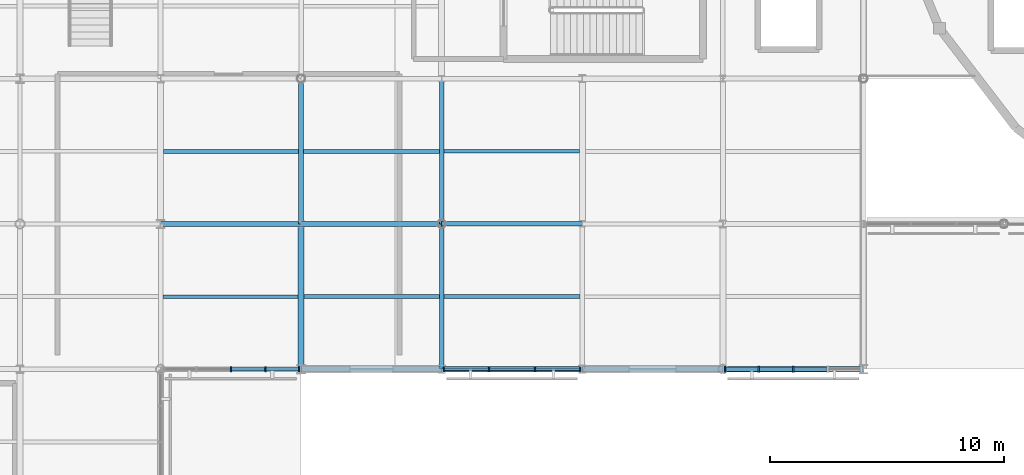
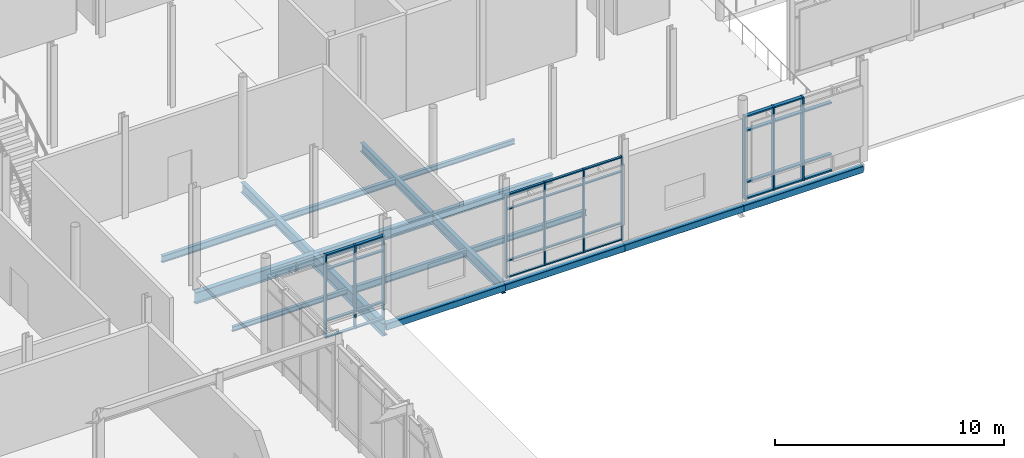
# One storey, part 26 of 105: 41 members, 17 beams, 3 elements without a shape of their own.
"""IFC4 building model written with IfcOpenShell, lengths in metres."""

from ifc_helpers import new_model, si_unit, direction, frame, origin, origin_2d, place, context, subcontext, project, spatial, rectangle, hollow_rectangle, i_section, extrude, material, layer, layer_set, material_profile, profile_set, type_object, element, aggregate, save


model = new_model("IFC4")

# Units and contexts
model_context = context("Model", 3, precision=1e-05, world=origin(), true_north=direction((0.0, 1.0)))
body_context = subcontext(model_context, "Body", "Model", "MODEL_VIEW")
ifc_project = project(units=[si_unit("LENGTHUNIT", "METRE"), si_unit("AREAUNIT", "SQUARE_METRE"), si_unit("VOLUMEUNIT", "CUBIC_METRE"), si_unit("PLANEANGLEUNIT", "RADIAN"), si_unit("MASSUNIT", "GRAM", prefix="KILO")], contexts=[model_context])

# Site, building, storey
site_placement = place(None, origin())
site = spatial("IfcSite", under=ifc_project, at=site_placement, CompositionType="ELEMENT")
building_placement = place(site_placement, origin())
building = spatial("IfcBuilding", under=site, at=building_placement, Name="Mirzam Square Science Centre", CompositionType="ELEMENT")
storey_placement = place(building_placement, frame((0.0, 0.0, 5.39990234375)))
storey = spatial("IfcBuildingStorey", under=building, at=storey_placement, Name="L01", CompositionType="ELEMENT", Elevation=5.39990234375)

# Beams
ifc_material_1 = material(Name="Steel S355", Category="steel")
ifc_material_profile_1 = material_profile(ifc_material_1, i_section(OverallWidth=0.19140625, OverallDepth=0.4599609375, WebThickness=0.010009765625, FlangeThickness=0.01611328125, FilletRadius=0.01025390625, at=origin_2d()), Name="457x191x82UB")
ifc_profile_set_1 = profile_set([ifc_material_profile_1], Name="Steel S355")
beam_type_1 = type_object("IfcBeamType", Name="BM-UB457", PredefinedType="BEAM", material=ifc_profile_set_1)
beam_1_placement = place(storey_placement, frame((42.0, 43.39990234375, -0.489990234375), z_axis=(1.0, 0.0, 0.0), x_axis=(0.0, 1.0, 0.0)))
element("IfcBeam", 1, at=beam_1_placement, inside=storey, type_object=beam_type_1, Name="L01 girder X8-8", PredefinedType="BEAM", context=body_context, shape_type="SweptSolid", body=[
    extrude(i_section(OverallWidth=0.19140625, OverallDepth=0.4599609375, WebThickness=0.010009765625, FlangeThickness=0.01611328125, FilletRadius=0.01025390625, at=origin_2d()), origin(), (0.0, 0.0, 1.0), 6.0),
])
beam_2_placement = place(storey_placement, frame((42.0, 43.39990234375, -0.489990234375), z_axis=(0.0, 1.0, 0.0), x_axis=(-1.0, 0.0, 0.0)))
element("IfcBeam", 2, at=beam_2_placement, inside=storey, type_object=beam_type_1, Name="L01 girder Y8-8", PredefinedType="BEAM", context=body_context, shape_type="SweptSolid", body=[
    extrude(i_section(OverallWidth=0.19140625, OverallDepth=0.4599609375, WebThickness=0.010009765625, FlangeThickness=0.01611328125, FilletRadius=0.01025390625, at=origin_2d()), origin(), (0.0, 0.0, 1.0), 6.2001953125),
])
ifc_material_profile_2 = material_profile(ifc_material_1, i_section(OverallWidth=0.2099609375, OverallDepth=0.53662109375, WebThickness=0.0107421875, FlangeThickness=0.017333984375, FilletRadius=0.0126953125, at=origin_2d()), Name="533x210x101UB")
ifc_profile_set_2 = profile_set([ifc_material_profile_2], Name="Steel S355")
beam_type_2 = type_object("IfcBeamType", Name="BM-UB533", PredefinedType="BEAM", material=ifc_profile_set_2)
beam_3_placement = place(storey_placement, frame((36.0, 43.39990234375, -0.5283203125), z_axis=(1.0, 0.0, 0.0), x_axis=(0.0, 1.0, 0.0)))
element("IfcBeam", 3, at=beam_3_placement, inside=storey, type_object=beam_type_2, Name="L01 girder X7-8", PredefinedType="BEAM", context=body_context, shape_type="SweptSolid", body=[
    extrude(i_section(OverallWidth=0.2099609375, OverallDepth=0.53662109375, WebThickness=0.0107421875, FlangeThickness=0.017333984375, FilletRadius=0.0126953125, at=origin_2d()), origin(), (0.0, 0.0, 1.0), 6.0),
])
beam_4_placement = place(storey_placement, frame((36.0, 43.39990234375, -0.5283203125), z_axis=(0.0, 1.0, 0.0), x_axis=(-1.0, 0.0, 0.0)))
element("IfcBeam", 4, at=beam_4_placement, inside=storey, type_object=beam_type_2, Name="L01 girder Y7-8", PredefinedType="BEAM", context=body_context, shape_type="SweptSolid", body=[
    extrude(i_section(OverallWidth=0.2099609375, OverallDepth=0.53662109375, WebThickness=0.0107421875, FlangeThickness=0.017333984375, FilletRadius=0.0126953125, at=origin_2d()), origin(), (0.0, 0.0, 1.0), 6.2001953125),
])
beam_5_placement = place(storey_placement, frame((42.0, 37.199951171875, -0.5283203125), z_axis=(0.0, 1.0, 0.0), x_axis=(-1.0, 0.0, 0.0)))
element("IfcBeam", 5, at=beam_5_placement, inside=storey, type_object=beam_type_2, Name="L01 girder Y8-7", PredefinedType="BEAM", context=body_context, shape_type="SweptSolid", body=[
    extrude(i_section(OverallWidth=0.2099609375, OverallDepth=0.53662109375, WebThickness=0.0107421875, FlangeThickness=0.017333984375, FilletRadius=0.0126953125, at=origin_2d()), origin(), (0.0, 0.0, 1.0), 6.199951171875),
])
ifc_material_profile_3 = material_profile(ifc_material_1, i_section(OverallWidth=0.22900390625, OverallDepth=0.6123046875, WebThickness=0.011962890625, FlangeThickness=0.01953125, FilletRadius=0.0126953125, at=origin_2d()), Name="610x229x125UB")
ifc_profile_set_3 = profile_set([ifc_material_profile_3], Name="Steel S355")
beam_type_3 = type_object("IfcBeamType", Name="BM-UB610", PredefinedType="BEAM", material=ifc_profile_set_3)
beam_6_placement = place(storey_placement, frame((30.0, 43.39990234375, -0.56591796875), z_axis=(1.0, 0.0, 0.0), x_axis=(0.0, 1.0, 0.0)))
element("IfcBeam", 6, at=beam_6_placement, inside=storey, type_object=beam_type_3, Name="L01 girder X6-8", PredefinedType="BEAM", context=body_context, shape_type="SweptSolid", body=[
    extrude(i_section(OverallWidth=0.22900390625, OverallDepth=0.6123046875, WebThickness=0.011962890625, FlangeThickness=0.01953125, FilletRadius=0.0126953125, at=origin_2d()), origin(), (0.0, 0.0, 1.0), 6.0),
])
ifc_material_profile_4 = material_profile(ifc_material_1, i_section(OverallWidth=0.25439453125, OverallDepth=0.6875, WebThickness=0.01318359375, FlangeThickness=0.02099609375, FilletRadius=0.01513671875, at=origin_2d()), Name="686x254x152UB")
ifc_profile_set_4 = profile_set([ifc_material_profile_4], Name="Steel S355")
beam_type_4 = type_object("IfcBeamType", Name="BM-UB686", PredefinedType="BEAM", material=ifc_profile_set_4)
beam_7_placement = place(storey_placement, frame((36.0, 37.199951171875, -0.603759765625), z_axis=(0.0, 1.0, 0.0), x_axis=(-1.0, 0.0, 0.0)))
element("IfcBeam", 7, at=beam_7_placement, inside=storey, type_object=beam_type_4, Name="L01 girder Y7-7", PredefinedType="BEAM", context=body_context, shape_type="SweptSolid", body=[
    extrude(i_section(OverallWidth=0.25439453125, OverallDepth=0.6875, WebThickness=0.01318359375, FlangeThickness=0.02099609375, FilletRadius=0.01513671875, at=origin_2d()), origin(), (0.0, 0.0, 1.0), 6.199951171875),
])

# Curtain wall, members
ifc_material_2 = material(Name="Anodised Aluminium and Low-E Solar Glass", Category="aluminium")
ifc_layer_1 = layer(ifc_material_2, 0.199951171875)
ifc_layer_set_1 = layer_set([ifc_layer_1], Name="CW-PARK-B")
curtain_wall_type_1 = type_object("IfcCurtainWallType", Name="CW-PARK-B", PredefinedType="USERDEFINED", material=ifc_layer_set_1)
curtain_wall_1_placement = place(storey_placement, origin())
curtain_wall_1 = element("IfcCurtainWall", 8, at=curtain_wall_1_placement, inside=storey, type_object=curtain_wall_type_1, Name="L01 unitised curtain wall 19", ObjectType="UNITISED CURTAIN WALL", PredefinedType="USERDEFINED")
ifc_material_3 = material(Name="Anodised Architectural Aluminium 6063-T6", Category="aluminium")
ifc_material_profile_5 = material_profile(ifc_material_3, rectangle(XDim=0.06005859375, YDim=0.159912109375, at=origin_2d()), Name="ALU-MULL-160x60x4")
ifc_profile_set_5 = profile_set([ifc_material_profile_5], Name="Anodised Architectural Aluminium 6063-T6")
member_type_1 = type_object("IfcMemberType", Name="CWM-160", PredefinedType="MULLION", material=ifc_profile_set_5)
member_1_placement = place(storey_placement, frame((42.0849609375, 37.199951171875, 0.0), z_axis=(0.0, 0.0, 1.0), x_axis=(1.0, 0.0, 0.0)))
member_1 = element("IfcMember", 9, at=member_1_placement, type_object=member_type_1, Name="CW-02 mullion 1", PredefinedType="MULLION", context=body_context, shape_type="SweptSolid", body=[
    extrude(rectangle(XDim=0.06005859375, YDim=0.159912109375, at=origin_2d()), origin(), (0.0, 0.0, 1.0), 4.440185546875),
])
member_2_placement = place(storey_placement, frame((44.018310546875, 37.199951171875, 0.0), z_axis=(0.0, 0.0, 1.0), x_axis=(1.0, 0.0, 0.0)))
member_2 = element("IfcMember", 10, at=member_2_placement, type_object=member_type_1, Name="CW-02 mullion 2", PredefinedType="MULLION", context=body_context, shape_type="SweptSolid", body=[
    extrude(rectangle(XDim=0.06005859375, YDim=0.159912109375, at=origin_2d()), origin(), (0.0, 0.0, 1.0), 4.440185546875),
])
member_3_placement = place(storey_placement, frame((45.981689453125, 37.199951171875, 0.0), z_axis=(0.0, 0.0, 1.0), x_axis=(1.0, 0.0, 0.0)))
member_3 = element("IfcMember", 11, at=member_3_placement, type_object=member_type_1, Name="CW-02 mullion 3", PredefinedType="MULLION", context=body_context, shape_type="SweptSolid", body=[
    extrude(rectangle(XDim=0.06005859375, YDim=0.159912109375, at=origin_2d()), origin(), (0.0, 0.0, 1.0), 4.440185546875),
])
member_4_placement = place(storey_placement, frame((47.9150390625, 37.199951171875, 0.0), z_axis=(0.0, 0.0, 1.0), x_axis=(1.0, 0.0, 0.0)))
member_4 = element("IfcMember", 12, at=member_4_placement, type_object=member_type_1, Name="CW-02 mullion 4", PredefinedType="MULLION", context=body_context, shape_type="SweptSolid", body=[
    extrude(rectangle(XDim=0.06005859375, YDim=0.159912109375, at=origin_2d()), origin(), (0.0, 0.0, 1.0), 4.440185546875),
])

ifc_layer_2 = layer(ifc_material_2, 0.179931640625)
ifc_layer_set_2 = layer_set([ifc_layer_2], Name="CW-LINK-A")
curtain_wall_type_2 = type_object("IfcCurtainWallType", Name="CW-LINK-A", PredefinedType="USERDEFINED", material=ifc_layer_set_2)
curtain_wall_2_placement = place(storey_placement, origin())
curtain_wall_2 = element("IfcCurtainWall", 13, at=curtain_wall_2_placement, inside=storey, type_object=curtain_wall_type_2, Name="L01 unitised curtain wall 18", ObjectType="UNITISED CURTAIN WALL", PredefinedType="USERDEFINED")
ifc_material_profile_6 = material_profile(ifc_material_3, rectangle(XDim=0.06494140625, YDim=0.199951171875, at=origin_2d()), Name="ALU-MULL-200x65x5")
ifc_profile_set_6 = profile_set([ifc_material_profile_6], Name="Anodised Architectural Aluminium 6063-T6")
member_type_2 = type_object("IfcMemberType", Name="CWM-200", PredefinedType="MULLION", material=ifc_profile_set_6)
member_5_placement = place(storey_placement, frame((33.0, 37.199951171875, 0.0), z_axis=(0.0, 0.0, 1.0), x_axis=(1.0, 0.0, 0.0)))
member_5 = element("IfcMember", 14, at=member_5_placement, type_object=member_type_2, Name="CW-08 mullion 3", PredefinedType="MULLION", context=body_context, shape_type="SweptSolid", body=[
    extrude(rectangle(XDim=0.06494140625, YDim=0.199951171875, at=origin_2d()), origin(), (0.0, 0.0, 1.0), 4.440185546875),
])
member_6_placement = place(storey_placement, frame((34.472412109375, 37.199951171875, 0.0), z_axis=(0.0, 0.0, 1.0), x_axis=(1.0, 0.0, 0.0)))
member_6 = element("IfcMember", 15, at=member_6_placement, type_object=member_type_2, Name="CW-08 mullion 4", PredefinedType="MULLION", context=body_context, shape_type="SweptSolid", body=[
    extrude(rectangle(XDim=0.06494140625, YDim=0.199951171875, at=origin_2d()), origin(), (0.0, 0.0, 1.0), 4.440185546875),
])
member_7_placement = place(storey_placement, frame((35.91259765625, 37.199951171875, 0.0), z_axis=(0.0, 0.0, 1.0), x_axis=(1.0, 0.0, 0.0)))
member_7 = element("IfcMember", 16, at=member_7_placement, type_object=member_type_2, Name="CW-08 mullion 5", PredefinedType="MULLION", context=body_context, shape_type="SweptSolid", body=[
    extrude(rectangle(XDim=0.06494140625, YDim=0.199951171875, at=origin_2d()), origin(), (0.0, 0.0, 1.0), 4.440185546875),
])

ifc_layer_3 = layer(ifc_material_2, 0.159912109375)
ifc_layer_set_3 = layer_set([ifc_layer_3], Name="CW-COURT-B")
curtain_wall_type_3 = type_object("IfcCurtainWallType", Name="CW-COURT-B", PredefinedType="USERDEFINED", material=ifc_layer_set_3)
curtain_wall_3_placement = place(storey_placement, origin())
curtain_wall_3 = element("IfcCurtainWall", 17, at=curtain_wall_3_placement, inside=storey, type_object=curtain_wall_type_3, Name="L01 unitised curtain wall 20", ObjectType="UNITISED CURTAIN WALL", PredefinedType="USERDEFINED")
ifc_material_profile_7 = material_profile(ifc_material_3, rectangle(XDim=0.074951171875, YDim=0.239990234375, at=origin_2d()), Name="ALU-MULL-240x75x5")
ifc_profile_set_7 = profile_set([ifc_material_profile_7], Name="Anodised Architectural Aluminium 6063-T6")
member_type_3 = type_object("IfcMemberType", Name="CWM-240", PredefinedType="MULLION", material=ifc_profile_set_7)
member_8_placement = place(storey_placement, frame((54.092529296875, 37.199951171875, 0.0), z_axis=(0.0, 0.0, 1.0), x_axis=(1.0, 0.0, 0.0)))
member_8 = element("IfcMember", 18, at=member_8_placement, type_object=member_type_3, Name="CW-04 mullion 1", PredefinedType="MULLION", context=body_context, shape_type="SweptSolid", body=[
    extrude(rectangle(XDim=0.074951171875, YDim=0.239990234375, at=origin_2d()), origin(), (0.0, 0.0, 1.0), 4.440185546875),
])
member_9_placement = place(storey_placement, frame((55.527587890625, 37.199951171875, 0.0), z_axis=(0.0, 0.0, 1.0), x_axis=(1.0, 0.0, 0.0)))
member_9 = element("IfcMember", 19, at=member_9_placement, type_object=member_type_3, Name="CW-04 mullion 2", PredefinedType="MULLION", context=body_context, shape_type="SweptSolid", body=[
    extrude(rectangle(XDim=0.074951171875, YDim=0.239990234375, at=origin_2d()), origin(), (0.0, 0.0, 1.0), 4.440185546875),
])
member_10_placement = place(storey_placement, frame((57.0, 37.199951171875, 0.0), z_axis=(0.0, 0.0, 1.0), x_axis=(1.0, 0.0, 0.0)))
member_10 = element("IfcMember", 20, at=member_10_placement, type_object=member_type_3, Name="CW-04 mullion 3", PredefinedType="MULLION", context=body_context, shape_type="SweptSolid", body=[
    extrude(rectangle(XDim=0.074951171875, YDim=0.239990234375, at=origin_2d()), origin(), (0.0, 0.0, 1.0), 4.440185546875),
])

# Member
ifc_material_profile_8 = material_profile(ifc_material_3, rectangle(XDim=0.1201171875, YDim=0.06005859375, at=origin_2d()), Name="ALU-TRAN-120x60x4")
ifc_profile_set_8 = profile_set([ifc_material_profile_8], Name="Anodised Architectural Aluminium 6063-T6")
member_type_4 = type_object("IfcMemberType", Name="CWT-120", PredefinedType="USERDEFINED", material=ifc_profile_set_8)
member_11_placement = place(storey_placement, frame((42.114990234375, 37.199951171875, 0.030029296875), z_axis=(1.0, 0.0, 0.0), x_axis=(0.0, 1.0, 0.0)))
member_11 = element("IfcMember", 21, at=member_11_placement, type_object=member_type_4, Name="CW-02 transom 1.1", ObjectType="TRANSOM", PredefinedType="USERDEFINED", context=body_context, shape_type="SweptSolid", body=[
    extrude(rectangle(XDim=0.1201171875, YDim=0.06005859375, at=origin_2d()), origin(), (0.0, 0.0, 1.0), 1.873291015625),
])

member_12_placement = place(storey_placement, frame((42.114990234375, 37.199951171875, 0.900146484375), z_axis=(1.0, 0.0, 0.0), x_axis=(0.0, 1.0, 0.0)))
member_12 = element("IfcMember", 22, at=member_12_placement, type_object=member_type_4, Name="CW-02 transom 1.2", ObjectType="TRANSOM", PredefinedType="USERDEFINED", context=body_context, shape_type="SweptSolid", body=[
    extrude(rectangle(XDim=0.1201171875, YDim=0.06005859375, at=origin_2d()), origin(), (0.0, 0.0, 1.0), 1.873291015625),
])

member_13_placement = place(storey_placement, frame((42.114990234375, 37.199951171875, 3.64013671875), z_axis=(1.0, 0.0, 0.0), x_axis=(0.0, 1.0, 0.0)))
member_13 = element("IfcMember", 23, at=member_13_placement, type_object=member_type_4, Name="CW-02 transom 1.3", ObjectType="TRANSOM", PredefinedType="USERDEFINED", context=body_context, shape_type="SweptSolid", body=[
    extrude(rectangle(XDim=0.1201171875, YDim=0.06005859375, at=origin_2d()), origin(), (0.0, 0.0, 1.0), 1.873291015625),
])

member_14_placement = place(storey_placement, frame((42.114990234375, 37.199951171875, 4.41015625), z_axis=(1.0, 0.0, 0.0), x_axis=(0.0, 1.0, 0.0)))
member_14 = element("IfcMember", 24, at=member_14_placement, type_object=member_type_4, Name="CW-02 transom 1.4", ObjectType="TRANSOM", PredefinedType="USERDEFINED", context=body_context, shape_type="SweptSolid", body=[
    extrude(rectangle(XDim=0.1201171875, YDim=0.06005859375, at=origin_2d()), origin(), (0.0, 0.0, 1.0), 1.873291015625),
])

member_15_placement = place(storey_placement, frame((44.04833984375, 37.199951171875, 0.030029296875), z_axis=(1.0, 0.0, 0.0), x_axis=(0.0, 1.0, 0.0)))
member_15 = element("IfcMember", 25, at=member_15_placement, type_object=member_type_4, Name="CW-02 transom 2.1", ObjectType="TRANSOM", PredefinedType="USERDEFINED", context=body_context, shape_type="SweptSolid", body=[
    extrude(rectangle(XDim=0.1201171875, YDim=0.06005859375, at=origin_2d()), origin(), (0.0, 0.0, 1.0), 1.9033203125),
])

member_16_placement = place(storey_placement, frame((44.04833984375, 37.199951171875, 0.900146484375), z_axis=(1.0, 0.0, 0.0), x_axis=(0.0, 1.0, 0.0)))
member_16 = element("IfcMember", 26, at=member_16_placement, type_object=member_type_4, Name="CW-02 transom 2.2", ObjectType="TRANSOM", PredefinedType="USERDEFINED", context=body_context, shape_type="SweptSolid", body=[
    extrude(rectangle(XDim=0.1201171875, YDim=0.06005859375, at=origin_2d()), origin(), (0.0, 0.0, 1.0), 1.9033203125),
])

member_17_placement = place(storey_placement, frame((44.04833984375, 37.199951171875, 3.64013671875), z_axis=(1.0, 0.0, 0.0), x_axis=(0.0, 1.0, 0.0)))
member_17 = element("IfcMember", 27, at=member_17_placement, type_object=member_type_4, Name="CW-02 transom 2.3", ObjectType="TRANSOM", PredefinedType="USERDEFINED", context=body_context, shape_type="SweptSolid", body=[
    extrude(rectangle(XDim=0.1201171875, YDim=0.06005859375, at=origin_2d()), origin(), (0.0, 0.0, 1.0), 1.9033203125),
])

member_18_placement = place(storey_placement, frame((44.04833984375, 37.199951171875, 4.41015625), z_axis=(1.0, 0.0, 0.0), x_axis=(0.0, 1.0, 0.0)))
member_18 = element("IfcMember", 28, at=member_18_placement, type_object=member_type_4, Name="CW-02 transom 2.4", ObjectType="TRANSOM", PredefinedType="USERDEFINED", context=body_context, shape_type="SweptSolid", body=[
    extrude(rectangle(XDim=0.1201171875, YDim=0.06005859375, at=origin_2d()), origin(), (0.0, 0.0, 1.0), 1.9033203125),
])

member_19_placement = place(storey_placement, frame((46.01171875, 37.199951171875, 0.030029296875), z_axis=(1.0, 0.0, 0.0), x_axis=(0.0, 1.0, 0.0)))
member_19 = element("IfcMember", 29, at=member_19_placement, type_object=member_type_4, Name="CW-02 transom 3.1", ObjectType="TRANSOM", PredefinedType="USERDEFINED", context=body_context, shape_type="SweptSolid", body=[
    extrude(rectangle(XDim=0.1201171875, YDim=0.06005859375, at=origin_2d()), origin(), (0.0, 0.0, 1.0), 1.873291015625),
])

member_20_placement = place(storey_placement, frame((46.01171875, 37.199951171875, 0.900146484375), z_axis=(1.0, 0.0, 0.0), x_axis=(0.0, 1.0, 0.0)))
member_20 = element("IfcMember", 30, at=member_20_placement, type_object=member_type_4, Name="CW-02 transom 3.2", ObjectType="TRANSOM", PredefinedType="USERDEFINED", context=body_context, shape_type="SweptSolid", body=[
    extrude(rectangle(XDim=0.1201171875, YDim=0.06005859375, at=origin_2d()), origin(), (0.0, 0.0, 1.0), 1.873291015625),
])

member_21_placement = place(storey_placement, frame((46.01171875, 37.199951171875, 3.64013671875), z_axis=(1.0, 0.0, 0.0), x_axis=(0.0, 1.0, 0.0)))
member_21 = element("IfcMember", 31, at=member_21_placement, type_object=member_type_4, Name="CW-02 transom 3.3", ObjectType="TRANSOM", PredefinedType="USERDEFINED", context=body_context, shape_type="SweptSolid", body=[
    extrude(rectangle(XDim=0.1201171875, YDim=0.06005859375, at=origin_2d()), origin(), (0.0, 0.0, 1.0), 1.873291015625),
])

member_22_placement = place(storey_placement, frame((46.01171875, 37.199951171875, 4.41015625), z_axis=(1.0, 0.0, 0.0), x_axis=(0.0, 1.0, 0.0)))
member_22 = element("IfcMember", 32, at=member_22_placement, type_object=member_type_4, Name="CW-02 transom 3.4", ObjectType="TRANSOM", PredefinedType="USERDEFINED", context=body_context, shape_type="SweptSolid", body=[
    extrude(rectangle(XDim=0.1201171875, YDim=0.06005859375, at=origin_2d()), origin(), (0.0, 0.0, 1.0), 1.873291015625),
])

aggregate(curtain_wall_1, [member_1, member_2, member_3, member_4, member_11, member_12, member_13, member_14, member_15, member_16, member_17, member_18, member_19, member_20, member_21, member_22])

ifc_material_profile_9 = material_profile(ifc_material_3, rectangle(XDim=0.14990234375, YDim=0.06494140625, at=origin_2d()), Name="ALU-TRAN-150x65x4")
ifc_profile_set_9 = profile_set([ifc_material_profile_9], Name="Anodised Architectural Aluminium 6063-T6")
member_type_5 = type_object("IfcMemberType", Name="CWT-150", PredefinedType="USERDEFINED", material=ifc_profile_set_9)
member_23_placement = place(storey_placement, frame((33.032470703125, 37.199951171875, 0.03271484375), z_axis=(1.0, 0.0, 0.0), x_axis=(0.0, 1.0, 0.0)))
member_23 = element("IfcMember", 33, at=member_23_placement, type_object=member_type_5, Name="CW-08 transom 3.1", ObjectType="TRANSOM", PredefinedType="USERDEFINED", context=body_context, shape_type="SweptSolid", body=[
    extrude(rectangle(XDim=0.14990234375, YDim=0.06494140625, at=origin_2d()), origin(), (0.0, 0.0, 1.0), 1.407470703125),
])

member_24_placement = place(storey_placement, frame((33.032470703125, 37.199951171875, 0.900146484375), z_axis=(1.0, 0.0, 0.0), x_axis=(0.0, 1.0, 0.0)))
member_24 = element("IfcMember", 34, at=member_24_placement, type_object=member_type_5, Name="CW-08 transom 3.2", ObjectType="TRANSOM", PredefinedType="USERDEFINED", context=body_context, shape_type="SweptSolid", body=[
    extrude(rectangle(XDim=0.14990234375, YDim=0.06494140625, at=origin_2d()), origin(), (0.0, 0.0, 1.0), 1.407470703125),
])

member_25_placement = place(storey_placement, frame((33.032470703125, 37.199951171875, 3.64013671875), z_axis=(1.0, 0.0, 0.0), x_axis=(0.0, 1.0, 0.0)))
member_25 = element("IfcMember", 35, at=member_25_placement, type_object=member_type_5, Name="CW-08 transom 3.3", ObjectType="TRANSOM", PredefinedType="USERDEFINED", context=body_context, shape_type="SweptSolid", body=[
    extrude(rectangle(XDim=0.14990234375, YDim=0.06494140625, at=origin_2d()), origin(), (0.0, 0.0, 1.0), 1.407470703125),
])

member_26_placement = place(storey_placement, frame((33.032470703125, 37.199951171875, 4.40771484375), z_axis=(1.0, 0.0, 0.0), x_axis=(0.0, 1.0, 0.0)))
member_26 = element("IfcMember", 36, at=member_26_placement, type_object=member_type_5, Name="CW-08 transom 3.4", ObjectType="TRANSOM", PredefinedType="USERDEFINED", context=body_context, shape_type="SweptSolid", body=[
    extrude(rectangle(XDim=0.14990234375, YDim=0.06494140625, at=origin_2d()), origin(), (0.0, 0.0, 1.0), 1.407470703125),
])

member_27_placement = place(storey_placement, frame((34.5048828125, 37.199951171875, 0.03271484375), z_axis=(1.0, 0.0, 0.0), x_axis=(0.0, 1.0, 0.0)))
member_27 = element("IfcMember", 37, at=member_27_placement, type_object=member_type_5, Name="CW-08 transom 4.1", ObjectType="TRANSOM", PredefinedType="USERDEFINED", context=body_context, shape_type="SweptSolid", body=[
    extrude(rectangle(XDim=0.14990234375, YDim=0.06494140625, at=origin_2d()), origin(), (0.0, 0.0, 1.0), 1.375),
])

member_28_placement = place(storey_placement, frame((34.5048828125, 37.199951171875, 0.900146484375), z_axis=(1.0, 0.0, 0.0), x_axis=(0.0, 1.0, 0.0)))
member_28 = element("IfcMember", 38, at=member_28_placement, type_object=member_type_5, Name="CW-08 transom 4.2", ObjectType="TRANSOM", PredefinedType="USERDEFINED", context=body_context, shape_type="SweptSolid", body=[
    extrude(rectangle(XDim=0.14990234375, YDim=0.06494140625, at=origin_2d()), origin(), (0.0, 0.0, 1.0), 1.375),
])

member_29_placement = place(storey_placement, frame((34.5048828125, 37.199951171875, 3.64013671875), z_axis=(1.0, 0.0, 0.0), x_axis=(0.0, 1.0, 0.0)))
member_29 = element("IfcMember", 39, at=member_29_placement, type_object=member_type_5, Name="CW-08 transom 4.3", ObjectType="TRANSOM", PredefinedType="USERDEFINED", context=body_context, shape_type="SweptSolid", body=[
    extrude(rectangle(XDim=0.14990234375, YDim=0.06494140625, at=origin_2d()), origin(), (0.0, 0.0, 1.0), 1.375),
])

member_30_placement = place(storey_placement, frame((34.5048828125, 37.199951171875, 4.40771484375), z_axis=(1.0, 0.0, 0.0), x_axis=(0.0, 1.0, 0.0)))
member_30 = element("IfcMember", 40, at=member_30_placement, type_object=member_type_5, Name="CW-08 transom 4.4", ObjectType="TRANSOM", PredefinedType="USERDEFINED", context=body_context, shape_type="SweptSolid", body=[
    extrude(rectangle(XDim=0.14990234375, YDim=0.06494140625, at=origin_2d()), origin(), (0.0, 0.0, 1.0), 1.375),
])

aggregate(curtain_wall_2, [member_5, member_6, member_7, member_23, member_24, member_25, member_26, member_27, member_28, member_29, member_30])

ifc_material_profile_10 = material_profile(ifc_material_3, rectangle(XDim=0.179931640625, YDim=0.074951171875, at=origin_2d()), Name="ALU-TRAN-180x75x5")
ifc_profile_set_10 = profile_set([ifc_material_profile_10], Name="Anodised Architectural Aluminium 6063-T6")
member_type_6 = type_object("IfcMemberType", Name="CWT-180", PredefinedType="USERDEFINED", material=ifc_profile_set_10)
member_31_placement = place(storey_placement, frame((54.1298828125, 37.199951171875, 0.03759765625), z_axis=(1.0, 0.0, 0.0), x_axis=(0.0, 1.0, 0.0)))
member_31 = element("IfcMember", 41, at=member_31_placement, type_object=member_type_6, Name="CW-04 transom 1.1", ObjectType="TRANSOM", PredefinedType="USERDEFINED", context=body_context, shape_type="SweptSolid", body=[
    extrude(rectangle(XDim=0.179931640625, YDim=0.074951171875, at=origin_2d()), origin(), (0.0, 0.0, 1.0), 1.360107421875),
])

member_32_placement = place(storey_placement, frame((54.1298828125, 37.199951171875, 0.900146484375), z_axis=(1.0, 0.0, 0.0), x_axis=(0.0, 1.0, 0.0)))
member_32 = element("IfcMember", 42, at=member_32_placement, type_object=member_type_6, Name="CW-04 transom 1.2", ObjectType="TRANSOM", PredefinedType="USERDEFINED", context=body_context, shape_type="SweptSolid", body=[
    extrude(rectangle(XDim=0.179931640625, YDim=0.074951171875, at=origin_2d()), origin(), (0.0, 0.0, 1.0), 1.360107421875),
])

member_33_placement = place(storey_placement, frame((54.1298828125, 37.199951171875, 3.64013671875), z_axis=(1.0, 0.0, 0.0), x_axis=(0.0, 1.0, 0.0)))
member_33 = element("IfcMember", 43, at=member_33_placement, type_object=member_type_6, Name="CW-04 transom 1.3", ObjectType="TRANSOM", PredefinedType="USERDEFINED", context=body_context, shape_type="SweptSolid", body=[
    extrude(rectangle(XDim=0.179931640625, YDim=0.074951171875, at=origin_2d()), origin(), (0.0, 0.0, 1.0), 1.360107421875),
])

member_34_placement = place(storey_placement, frame((54.1298828125, 37.199951171875, 4.402587890625), z_axis=(1.0, 0.0, 0.0), x_axis=(0.0, 1.0, 0.0)))
member_34 = element("IfcMember", 44, at=member_34_placement, type_object=member_type_6, Name="CW-04 transom 1.4", ObjectType="TRANSOM", PredefinedType="USERDEFINED", context=body_context, shape_type="SweptSolid", body=[
    extrude(rectangle(XDim=0.179931640625, YDim=0.074951171875, at=origin_2d()), origin(), (0.0, 0.0, 1.0), 1.360107421875),
])

member_35_placement = place(storey_placement, frame((55.56494140625, 37.199951171875, 0.03759765625), z_axis=(1.0, 0.0, 0.0), x_axis=(0.0, 1.0, 0.0)))
member_35 = element("IfcMember", 45, at=member_35_placement, type_object=member_type_6, Name="CW-04 transom 2.1", ObjectType="TRANSOM", PredefinedType="USERDEFINED", context=body_context, shape_type="SweptSolid", body=[
    extrude(rectangle(XDim=0.179931640625, YDim=0.074951171875, at=origin_2d()), origin(), (0.0, 0.0, 1.0), 1.3974609375),
])

member_36_placement = place(storey_placement, frame((55.56494140625, 37.199951171875, 0.900146484375), z_axis=(1.0, 0.0, 0.0), x_axis=(0.0, 1.0, 0.0)))
member_36 = element("IfcMember", 46, at=member_36_placement, type_object=member_type_6, Name="CW-04 transom 2.2", ObjectType="TRANSOM", PredefinedType="USERDEFINED", context=body_context, shape_type="SweptSolid", body=[
    extrude(rectangle(XDim=0.179931640625, YDim=0.074951171875, at=origin_2d()), origin(), (0.0, 0.0, 1.0), 1.3974609375),
])

member_37_placement = place(storey_placement, frame((55.56494140625, 37.199951171875, 3.64013671875), z_axis=(1.0, 0.0, 0.0), x_axis=(0.0, 1.0, 0.0)))
member_37 = element("IfcMember", 47, at=member_37_placement, type_object=member_type_6, Name="CW-04 transom 2.3", ObjectType="TRANSOM", PredefinedType="USERDEFINED", context=body_context, shape_type="SweptSolid", body=[
    extrude(rectangle(XDim=0.179931640625, YDim=0.074951171875, at=origin_2d()), origin(), (0.0, 0.0, 1.0), 1.3974609375),
])

member_38_placement = place(storey_placement, frame((55.56494140625, 37.199951171875, 4.402587890625), z_axis=(1.0, 0.0, 0.0), x_axis=(0.0, 1.0, 0.0)))
member_38 = element("IfcMember", 48, at=member_38_placement, type_object=member_type_6, Name="CW-04 transom 2.4", ObjectType="TRANSOM", PredefinedType="USERDEFINED", context=body_context, shape_type="SweptSolid", body=[
    extrude(rectangle(XDim=0.179931640625, YDim=0.074951171875, at=origin_2d()), origin(), (0.0, 0.0, 1.0), 1.3974609375),
])

member_39_placement = place(storey_placement, frame((57.03759765625, 37.199951171875, 0.03759765625), z_axis=(1.0, 0.0, 0.0), x_axis=(0.0, 1.0, 0.0)))
member_39 = element("IfcMember", 49, at=member_39_placement, type_object=member_type_6, Name="CW-04 transom 3.1", ObjectType="TRANSOM", PredefinedType="USERDEFINED", context=body_context, shape_type="SweptSolid", body=[
    extrude(rectangle(XDim=0.179931640625, YDim=0.074951171875, at=origin_2d()), origin(), (0.0, 0.0, 1.0), 1.3974609375),
])

member_40_placement = place(storey_placement, frame((57.03759765625, 37.199951171875, 0.900146484375), z_axis=(1.0, 0.0, 0.0), x_axis=(0.0, 1.0, 0.0)))
member_40 = element("IfcMember", 50, at=member_40_placement, type_object=member_type_6, Name="CW-04 transom 3.2", ObjectType="TRANSOM", PredefinedType="USERDEFINED", context=body_context, shape_type="SweptSolid", body=[
    extrude(rectangle(XDim=0.179931640625, YDim=0.074951171875, at=origin_2d()), origin(), (0.0, 0.0, 1.0), 1.3974609375),
])

member_41_placement = place(storey_placement, frame((57.03759765625, 37.199951171875, 3.64013671875), z_axis=(1.0, 0.0, 0.0), x_axis=(0.0, 1.0, 0.0)))
member_41 = element("IfcMember", 51, at=member_41_placement, type_object=member_type_6, Name="CW-04 transom 3.3", ObjectType="TRANSOM", PredefinedType="USERDEFINED", context=body_context, shape_type="SweptSolid", body=[
    extrude(rectangle(XDim=0.179931640625, YDim=0.074951171875, at=origin_2d()), origin(), (0.0, 0.0, 1.0), 1.3974609375),
])

aggregate(curtain_wall_3, [member_8, member_9, member_10, member_31, member_32, member_33, member_34, member_35, member_36, member_37, member_38, member_39, member_40, member_41])

# Beams
ifc_material_profile_11 = material_profile(ifc_material_1, i_section(OverallWidth=0.146484375, OverallDepth=0.256103515625, WebThickness=0.00634765625, FlangeThickness=0.010986328125, FilletRadius=0.007568359375, at=origin_2d()), Name="254x146x37UB")
ifc_profile_set_11 = profile_set([ifc_material_profile_11], Name="Steel S355")
beam_type_5 = type_object("IfcBeamType", Name="JS-UB254", PredefinedType="JOIST", material=ifc_profile_set_11)
for number, where, z_axis, x_axis, name in (
    (52, (30.095703125, 40.300048828125, -0.387939453125), (1.0, 0.0, 0.0), (0.0, 1.0, 0.0), "L01 composite joist 6-7"),
    (53, (42.095703125, 46.5, -0.387939453125), (1.0, 0.0, 0.0), (0.0, 1.0, 0.0), "L01 composite joist 8-8"),
):
    element("IfcBeam", number, at=place(storey_placement, frame(where, z_axis=z_axis, x_axis=x_axis)), inside=storey, type_object=beam_type_5, Name=name, PredefinedType="JOIST", context=body_context, shape_type="SweptSolid", body=[
        extrude(i_section(OverallWidth=0.146484375, OverallDepth=0.256103515625, WebThickness=0.00634765625, FlangeThickness=0.010986328125, FilletRadius=0.007568359375, at=origin_2d()), origin(), (0.0, 0.0, 1.0), 5.777099609375),
    ])
ifc_material_profile_12 = material_profile(ifc_material_1, i_section(OverallWidth=0.165771484375, OverallDepth=0.306640625, WebThickness=0.006591796875, FlangeThickness=0.01171875, FilletRadius=0.0087890625, at=origin_2d()), Name="305x165x46UB")
ifc_profile_set_12 = profile_set([ifc_material_profile_12], Name="Steel S355")
beam_type_6 = type_object("IfcBeamType", Name="JS-UB305", PredefinedType="JOIST", material=ifc_profile_set_12)
for number, where, z_axis, x_axis, name in (
    (54, (36.10498046875, 46.5, -0.4130859375), (1.0, 0.0, 0.0), (0.0, 1.0, 0.0), "L01 composite joist 7-8"),
    (55, (42.10498046875, 40.300048828125, -0.4130859375), (1.0, 0.0, 0.0), (0.0, 1.0, 0.0), "L01 composite joist 8-7"),
):
    element("IfcBeam", number, at=place(storey_placement, frame(where, z_axis=z_axis, x_axis=x_axis)), inside=storey, type_object=beam_type_6, Name=name, PredefinedType="JOIST", context=body_context, shape_type="SweptSolid", body=[
        extrude(i_section(OverallWidth=0.165771484375, OverallDepth=0.306640625, WebThickness=0.006591796875, FlangeThickness=0.01171875, FilletRadius=0.0087890625, at=origin_2d()), origin(), (0.0, 0.0, 1.0), 5.79931640625),
    ])
ifc_material_profile_13 = material_profile(ifc_material_1, i_section(OverallWidth=0.172119140625, OverallDepth=0.35791015625, WebThickness=0.008056640625, FlangeThickness=0.012939453125, FilletRadius=0.01025390625, at=origin_2d()), Name="356x171x57UB")
ifc_profile_set_13 = profile_set([ifc_material_profile_13], Name="Steel S355")
beam_type_7 = type_object("IfcBeamType", Name="JS-UB356", PredefinedType="JOIST", material=ifc_profile_set_13)
for number, where, z_axis, x_axis, name in (
    (56, (30.127197265625, 46.5, -0.43896484375), (1.0, 0.0, 0.0), (0.0, 1.0, 0.0), "L01 composite joist 6-8"),
    (57, (36.127197265625, 40.300048828125, -0.43896484375), (1.0, 0.0, 0.0), (0.0, 1.0, 0.0), "L01 composite joist 7-7"),
):
    element("IfcBeam", number, at=place(storey_placement, frame(where, z_axis=z_axis, x_axis=x_axis)), inside=storey, type_object=beam_type_7, Name=name, PredefinedType="JOIST", context=body_context, shape_type="SweptSolid", body=[
        extrude(i_section(OverallWidth=0.172119140625, OverallDepth=0.35791015625, WebThickness=0.008056640625, FlangeThickness=0.012939453125, FilletRadius=0.01025390625, at=origin_2d()), origin(), (0.0, 0.0, 1.0), 5.767822265625),
    ])
ifc_material_profile_14 = material_profile(ifc_material_1, hollow_rectangle(XDim=0.25, YDim=0.35009765625, WallThickness=0.012451171875, InnerFilletRadius=0.012451171875, OuterFilletRadius=0.02490234375, at=origin_2d()), Name="350x250x12.5RHS")
ifc_profile_set_14 = profile_set([ifc_material_profile_14], Name="Steel S355")
beam_type_8 = type_object("IfcBeamType", Name="SP-RHS350", PredefinedType="SPANDREL", material=ifc_profile_set_14)
for number, where, z_axis, x_axis, name in (
    (58, (36.0, 37.199951171875, -0.434814453125), (1.0, 0.0, 0.0), (0.0, 1.0, 0.0), "L01 girder X7-7"),
    (59, (42.0, 37.199951171875, -0.434814453125), (1.0, 0.0, 0.0), (0.0, 1.0, 0.0), "L01 girder X8-7"),
    (60, (48.0, 37.199951171875, -0.434814453125), (1.0, 0.0, 0.0), (0.0, 1.0, 0.0), "L01 girder X9-7"),
    (61, (54.0, 37.199951171875, -0.434814453125), (1.0, 0.0, 0.0), (0.0, 1.0, 0.0), "L01 girder X10-7"),
):
    element("IfcBeam", number, at=place(storey_placement, frame(where, z_axis=z_axis, x_axis=x_axis)), inside=storey, type_object=beam_type_8, Name=name, PredefinedType="SPANDREL", context=body_context, shape_type="SweptSolid", body=[
        extrude(hollow_rectangle(XDim=0.25, YDim=0.35009765625, WallThickness=0.012451171875, InnerFilletRadius=0.012451171875, OuterFilletRadius=0.02490234375, at=origin_2d()), origin(), (0.0, 0.0, 1.0), 6.0),
    ])

save(model, "model.ifc")
